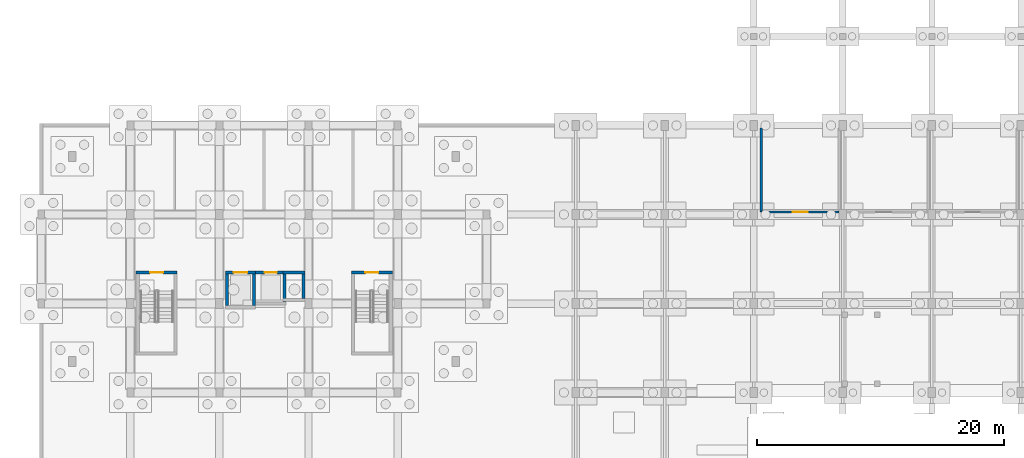
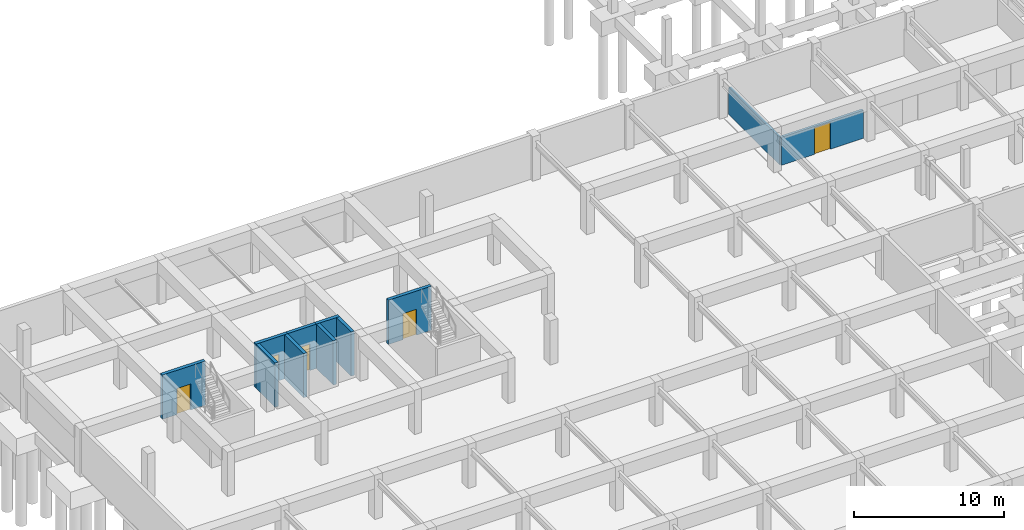
# One storey, part 26 of 36: 11 walls, 5 doors, 5 openings.
"""IFC4 building model written with IfcOpenShell, lengths in metres."""

from ifc_helpers import new_model, si_unit, direction, frame, frame_2d, origin, place, context, subcontext, project, spatial, rectangle, extrude, material, layer, layer_set, type_object, element, fill, save


model = new_model("IFC4")

# Units and contexts
model_context = context("Model", 3, precision=1e-05, world=origin(), true_north=direction((0.0, 1.0)))
body_context = subcontext(model_context, "Body", "Model", "MODEL_VIEW")
ifc_project = project(units=[si_unit("LENGTHUNIT", "METRE"), si_unit("AREAUNIT", "SQUARE_METRE"), si_unit("VOLUMEUNIT", "CUBIC_METRE"), si_unit("PLANEANGLEUNIT", "RADIAN"), si_unit("MASSUNIT", "GRAM", prefix="KILO")], contexts=[model_context])

# Site, building, storey
site_placement = place(None, origin())
site = spatial("IfcSite", under=ifc_project, at=site_placement, CompositionType="ELEMENT")
building_placement = place(site_placement, origin())
building = spatial("IfcBuilding", under=site, at=building_placement, Name="Ochrevale Crest", CompositionType="ELEMENT")
storey_placement = place(building_placement, frame((0.0, 0.0, -3.60009765625)))
storey = spatial("IfcBuildingStorey", under=building, at=storey_placement, Name="B1", CompositionType="ELEMENT", Elevation=-3.60009765625)

# Wall, opening, door
ifc_material_1 = material(Name="Precast concrete C50/60", Category="concrete")
ifc_layer_1 = layer(ifc_material_1, 0.2548828125)
ifc_layer_set_1 = layer_set([ifc_layer_1], Name="Precast concrete C50/60")
wall_type_1 = type_object("IfcWallType", Name="WL-CORE-255", PredefinedType="SHEAR", material=ifc_layer_set_1)
wall_1_placement = place(storey_placement, frame((7.672607421875, 81.699951171875, 0.0), z_axis=(0.0, 0.0, 1.0), x_axis=(1.0, 0.0, 0.0)))
wall_1 = element("IfcWall", 1, at=wall_1_placement, inside=storey, type_object=wall_type_1, Name="Block B B1 Stair 1 precast core shear wall N", PredefinedType="SHEAR", context=body_context, shape_type="SweptSolid", body=[
    extrude(rectangle(XDim=3.304931640625, YDim=0.2548828125, at=frame_2d((1.65234375, 0.0))), origin(), (0.0, 0.0, 1.0), 3.60009765625),
])
opening_1_placement = place(wall_1_placement, frame((2.177490234375, 0.0, 0.0), z_axis=(0.0, 0.0, 1.0), x_axis=(-1.0, 0.0, 0.0)))
opening_1 = element("IfcOpeningElement", 2, at=opening_1_placement, cuts=wall_1, Name="Opening FD03", PredefinedType="OPENING", context=body_context, shape_type="SweptSolid", body=[
    extrude(rectangle(XDim=1.050048828125, YDim=2.1201171875, at=frame_2d((0.52490234375, 1.06005859375))), frame((0.0, 0.137451171875, 0.0), z_axis=(0.0, -1.0, 0.0), x_axis=(1.0, 0.0, 0.0)), (0.0, 0.0, 1.0), 0.27490234375),
])
ifc_material_2 = material(Name="Solid-core FSC hardwood", Category="wood")
door_type_1 = type_object("IfcDoorType", Name="DR-ST-1050", OperationType="NOTDEFINED", PredefinedType="DOOR", material=ifc_material_2)
door_1_placement = place(opening_1_placement, origin())
door_1 = element("IfcDoor", 3, at=door_1_placement, inside=storey, type_object=door_type_1, Name="Block B B1 fire stair 1 door", OperationType="SINGLE_SWING_RIGHT", OverallHeight=2.1201171875, OverallWidth=1.050048828125, PredefinedType="DOOR", context=body_context, shape_type="SweptSolid", body=[
    extrude(rectangle(XDim=1.050048828125, YDim=2.1201171875, at=frame_2d((0.52490234375, 1.06005859375))), frame((0.0, 0.02490234375, 0.0), z_axis=(0.0, -1.0, 0.0), x_axis=(1.0, 0.0, 0.0)), (0.0, 0.0, 1.0), 0.050048828125),
])
fill(opening_1, door_1)

wall_2_placement = place(storey_placement, frame((25.072509765625, 81.699951171875, 0.0), z_axis=(0.0, 0.0, 1.0), x_axis=(1.0, 0.0, 0.0)))
wall_2 = element("IfcWall", 4, at=wall_2_placement, inside=storey, type_object=wall_type_1, Name="Block B B1 Stair 2 precast core shear wall N", PredefinedType="SHEAR", context=body_context, shape_type="SweptSolid", body=[
    extrude(rectangle(XDim=3.304931640625, YDim=0.2548828125, at=frame_2d((1.65234375, 0.0))), origin(), (0.0, 0.0, 1.0), 3.60009765625),
])
opening_2_placement = place(wall_2_placement, frame((1.12744140625, 0.0, 0.0)))
opening_2 = element("IfcOpeningElement", 5, at=opening_2_placement, cuts=wall_2, Name="Opening FD03", PredefinedType="OPENING", context=body_context, shape_type="SweptSolid", body=[
    extrude(rectangle(XDim=1.050048828125, YDim=2.1201171875, at=frame_2d((0.52490234375, 1.06005859375))), frame((0.0, 0.137451171875, 0.0), z_axis=(0.0, -1.0, 0.0), x_axis=(1.0, 0.0, 0.0)), (0.0, 0.0, 1.0), 0.27490234375),
])
door_2_placement = place(opening_2_placement, origin())
door_2 = element("IfcDoor", 6, at=door_2_placement, inside=storey, type_object=door_type_1, Name="Block B B1 fire stair 2 door", OperationType="SINGLE_SWING_LEFT", OverallHeight=2.1201171875, OverallWidth=1.050048828125, PredefinedType="DOOR", context=body_context, shape_type="SweptSolid", body=[
    extrude(rectangle(XDim=1.050048828125, YDim=2.1201171875, at=frame_2d((0.52490234375, 1.06005859375))), frame((0.0, 0.02490234375, 0.0), z_axis=(0.0, -1.0, 0.0), x_axis=(1.0, 0.0, 0.0)), (0.0, 0.0, 1.0), 0.050048828125),
])
fill(opening_2, door_2)

wall_3_placement = place(storey_placement, frame((14.87255859375, 81.699951171875, 0.0), z_axis=(0.0, 0.0, 1.0), x_axis=(1.0, 0.0, 0.0)))
wall_3 = element("IfcWall", 7, at=wall_3_placement, inside=storey, type_object=wall_type_1, Name="Block B B1 Lift 1 precast shaft shear wall N", PredefinedType="SHEAR", context=body_context, shape_type="SweptSolid", body=[
    extrude(rectangle(XDim=2.454833984375, YDim=0.2548828125, at=frame_2d((1.2275390625, 0.0))), origin(), (0.0, 0.0, 1.0), 3.60009765625),
])
opening_3_placement = place(wall_3_placement, frame((0.677490234375, 0.0, 0.0)))
opening_3 = element("IfcOpeningElement", 8, at=opening_3_placement, cuts=wall_3, Name="Opening LD01", PredefinedType="OPENING", context=body_context, shape_type="SweptSolid", body=[
    extrude(rectangle(XDim=1.10009765625, YDim=2.14990234375, at=frame_2d((0.550048828125, 1.074951171875))), frame((0.0, 0.137451171875, 0.0), z_axis=(0.0, -1.0, 0.0), x_axis=(1.0, 0.0, 0.0)), (0.0, 0.0, 1.0), 0.27490234375),
])
door_type_2 = type_object("IfcDoorType", Name="DR-LIFT-1100", OperationType="NOTDEFINED", PredefinedType="DOOR", material=ifc_material_2)
door_3_placement = place(opening_3_placement, origin())
door_3 = element("IfcDoor", 9, at=door_3_placement, inside=storey, type_object=door_type_2, Name="Lift LF-B1 B1 sliding landing door", OperationType="SLIDING_TO_LEFT", OverallHeight=2.14990234375, OverallWidth=1.10009765625, PredefinedType="DOOR", context=body_context, shape_type="SweptSolid", body=[
    extrude(rectangle(XDim=1.10009765625, YDim=2.14990234375, at=frame_2d((0.550048828125, 1.074951171875))), frame((0.0, 0.02490234375, 0.0), z_axis=(0.0, -1.0, 0.0), x_axis=(1.0, 0.0, 0.0)), (0.0, 0.0, 1.0), 0.050048828125),
])
fill(opening_3, door_3)

# Walls
for number, where, z_axis, x_axis, name in (
    (10, (15.0, 79.027587890625, 0.0), (0.0, 0.0, 1.0), (0.0, 1.0, 0.0), "Block B B1 Lift 1 precast shaft shear wall W"),
    (11, (17.199951171875, 79.027587890625, 0.0), (0.0, 0.0, 1.0), (0.0, 1.0, 0.0), "Block B B1 Lift 1 precast shaft shear wall E"),
):
    element("IfcWall", number, at=place(storey_placement, frame(where, z_axis=z_axis, x_axis=x_axis)), inside=storey, type_object=wall_type_1, Name=name, PredefinedType="SHEAR", context=body_context, shape_type="SweptSolid", body=[
        extrude(rectangle(XDim=2.544921875, YDim=0.2548828125, at=frame_2d((1.2724609375, 0.0))), origin(), (0.0, 0.0, 1.0), 3.60009765625),
    ])

# Wall, opening, door
wall_4_placement = place(storey_placement, frame((17.322509765625, 81.699951171875, 0.0), z_axis=(0.0, 0.0, 1.0), x_axis=(1.0, 0.0, 0.0)))
wall_4 = element("IfcWall", 12, at=wall_4_placement, inside=storey, type_object=wall_type_1, Name="Block B B1 Lift 2 precast shaft shear wall N", PredefinedType="SHEAR", context=body_context, shape_type="SweptSolid", body=[
    extrude(rectangle(XDim=2.455078125, YDim=0.2548828125, at=frame_2d((1.2275390625, 0.0))), origin(), (0.0, 0.0, 1.0), 3.60009765625),
])
opening_4_placement = place(wall_4_placement, frame((0.7275390625, 0.0, 0.0)))
opening_4 = element("IfcOpeningElement", 13, at=opening_4_placement, cuts=wall_4, Name="Opening LD02", PredefinedType="OPENING", context=body_context, shape_type="SweptSolid", body=[
    extrude(rectangle(XDim=1.0, YDim=2.14990234375, at=frame_2d((0.5, 1.074951171875))), frame((0.0, 0.137451171875, 0.0), z_axis=(0.0, -1.0, 0.0), x_axis=(1.0, 0.0, 0.0)), (0.0, 0.0, 1.0), 0.27490234375),
])
door_type_3 = type_object("IfcDoorType", Name="DR-LIFT-1000", OperationType="NOTDEFINED", PredefinedType="DOOR", material=ifc_material_2)
door_4_placement = place(opening_4_placement, origin())
door_4 = element("IfcDoor", 14, at=door_4_placement, inside=storey, type_object=door_type_3, Name="Lift LP-B2 B1 sliding landing door", OperationType="SLIDING_TO_RIGHT", OverallHeight=2.14990234375, OverallWidth=1.0, PredefinedType="DOOR", context=body_context, shape_type="SweptSolid", body=[
    extrude(rectangle(XDim=1.0, YDim=2.14990234375, at=frame_2d((0.5, 1.074951171875))), frame((0.0, 0.02490234375, 0.0), z_axis=(0.0, -1.0, 0.0), x_axis=(1.0, 0.0, 0.0)), (0.0, 0.0, 1.0), 0.050048828125),
])
fill(opening_4, door_4)

# Walls
wall_5_placement = place(storey_placement, frame((19.64990234375, 79.327392578125, 0.0), z_axis=(0.0, 0.0, 1.0), x_axis=(0.0, 1.0, 0.0)))
element("IfcWall", 15, at=wall_5_placement, inside=storey, type_object=wall_type_1, Name="Block B B1 Lift 2 precast shaft shear wall E", PredefinedType="SHEAR", context=body_context, shape_type="SweptSolid", body=[
    extrude(rectangle(XDim=2.2451171875, YDim=0.2548828125, at=frame_2d((1.12255859375, 0.0))), origin(), (0.0, 0.0, 1.0), 3.60009765625),
])
wall_6_placement = place(storey_placement, frame((19.5224609375, 81.699951171875, 0.0), z_axis=(0.0, 0.0, 1.0), x_axis=(1.0, 0.0, 0.0)))
element("IfcWall", 16, at=wall_6_placement, inside=storey, type_object=wall_type_1, Name="Block B B1 services riser shaft core wall N", PredefinedType="SHEAR", context=body_context, shape_type="SweptSolid", body=[
    extrude(rectangle(XDim=1.804931640625, YDim=0.2548828125, at=frame_2d((0.90234375, 0.0))), origin(), (0.0, 0.0, 1.0), 3.60009765625),
])
wall_7_placement = place(storey_placement, frame((21.199951171875, 79.62744140625, 0.0), z_axis=(0.0, 0.0, 1.0), x_axis=(0.0, 1.0, 0.0)))
element("IfcWall", 17, at=wall_7_placement, inside=storey, type_object=wall_type_1, Name="Block B B1 services riser shaft core wall E", PredefinedType="SHEAR", context=body_context, shape_type="SweptSolid", body=[
    extrude(rectangle(XDim=1.945068359375, YDim=0.2548828125, at=frame_2d((0.97265625, 0.0))), origin(), (0.0, 0.0, 1.0), 3.60009765625),
])

# Wall, opening, door
ifc_material_3 = material(Name="Core-filled masonry blockwork", Category="masonry")
ifc_layer_2 = layer(ifc_material_3, 0.195068359375)
ifc_layer_set_2 = layer_set([ifc_layer_2], Name="Core-filled masonry blockwork")
wall_type_2 = type_object("IfcWallType", Name="WL-PLNT-195", PredefinedType="PARTITIONING", material=ifc_layer_set_2)
wall_8_placement = place(storey_placement, frame((58.199951171875, 86.60009765625, 0.0), z_axis=(0.0, 0.0, 1.0), x_axis=(1.0, 0.0, 0.0)))
wall_8 = element("IfcWall", 18, at=wall_8_placement, inside=storey, type_object=wall_type_2, Name="Resident Bicycle Store West front wall", PredefinedType="PARTITIONING", context=body_context, shape_type="SweptSolid", body=[
    extrude(rectangle(XDim=6.300048828125, YDim=0.195068359375, at=frame_2d((3.14990234375, 0.0))), origin(), (0.0, 0.0, 1.0), 2.280029296875),
])
opening_5_placement = place(wall_8_placement, frame((2.550048828125, 0.0, 0.0)))
opening_5 = element("IfcOpeningElement", 19, at=opening_5_placement, cuts=wall_8, Name="Opening ID09", PredefinedType="OPENING", context=body_context, shape_type="SweptSolid", body=[
    extrude(rectangle(XDim=1.199951171875, YDim=2.179931640625, at=frame_2d((0.60009765625, 1.08984375))), frame((0.0, 0.107421875, 0.0), z_axis=(0.0, -1.0, 0.0), x_axis=(1.0, 0.0, 0.0)), (0.0, 0.0, 1.0), 0.215087890625),
])
door_type_4 = type_object("IfcDoorType", Name="DR-INT-1200", OperationType="NOTDEFINED", PredefinedType="DOOR", material=ifc_material_2)
door_5_placement = place(opening_5_placement, origin())
door_5 = element("IfcDoor", 20, at=door_5_placement, inside=storey, type_object=door_type_4, Name="Resident Bicycle Store West door", OperationType="SINGLE_SWING_LEFT", OverallHeight=2.179931640625, OverallWidth=1.199951171875, PredefinedType="DOOR", context=body_context, shape_type="SweptSolid", body=[
    extrude(rectangle(XDim=1.199951171875, YDim=2.179931640625, at=frame_2d((0.60009765625, 1.08984375))), frame((0.0, 0.02490234375, 0.0), z_axis=(0.0, -1.0, 0.0), x_axis=(1.0, 0.0, 0.0)), (0.0, 0.0, 1.0), 0.050048828125),
])
fill(opening_5, door_5)

# Wall
wall_9_placement = place(storey_placement, frame((58.199951171875, 86.60009765625, 0.0), z_axis=(0.0, 0.0, 1.0), x_axis=(0.0, 1.0, 0.0)))
element("IfcWall", 21, at=wall_9_placement, inside=storey, type_object=wall_type_2, Name="B1 plant divider wall 0", PredefinedType="PARTITIONING", context=body_context, shape_type="SweptSolid", body=[
    extrude(rectangle(XDim=6.7998046875, YDim=0.195068359375, at=frame_2d((3.39990234375, 0.0))), origin(), (0.0, 0.0, 1.0), 2.2001953125),
])

save(model, "model.ifc")
